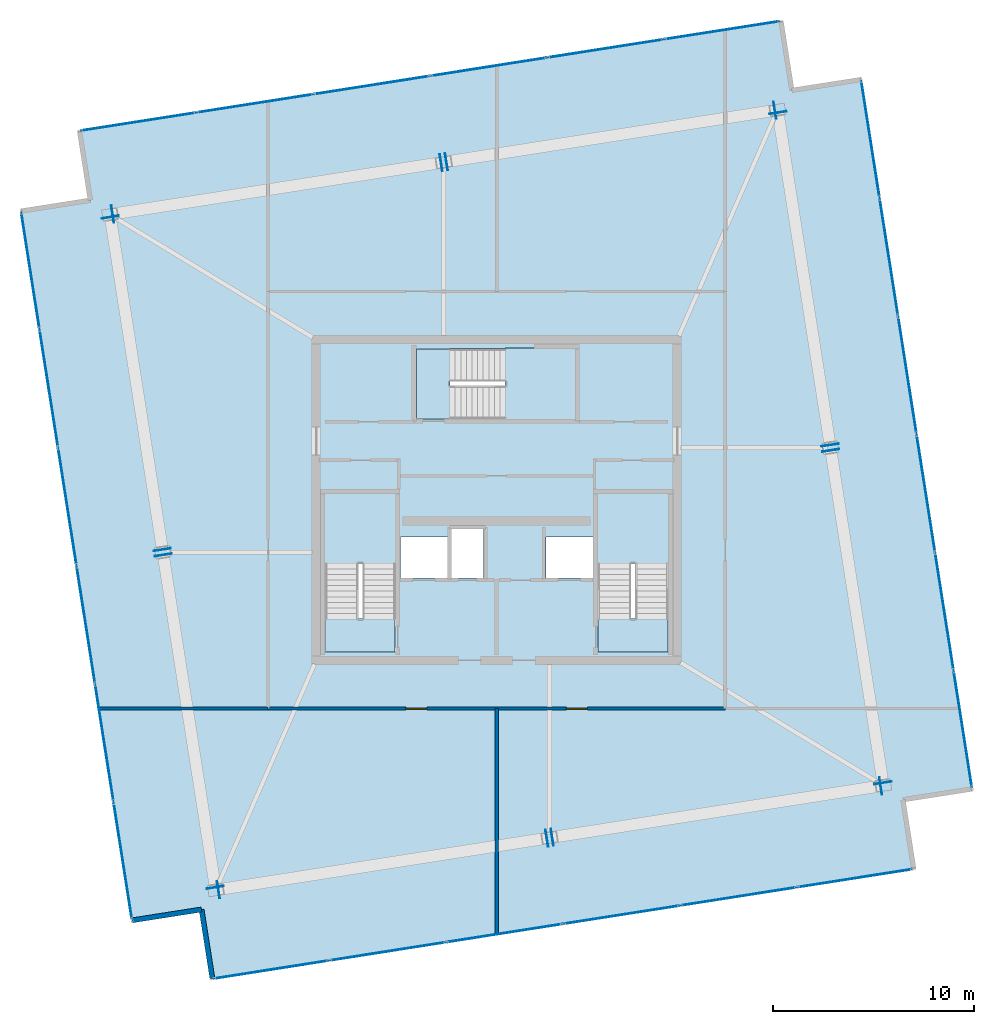
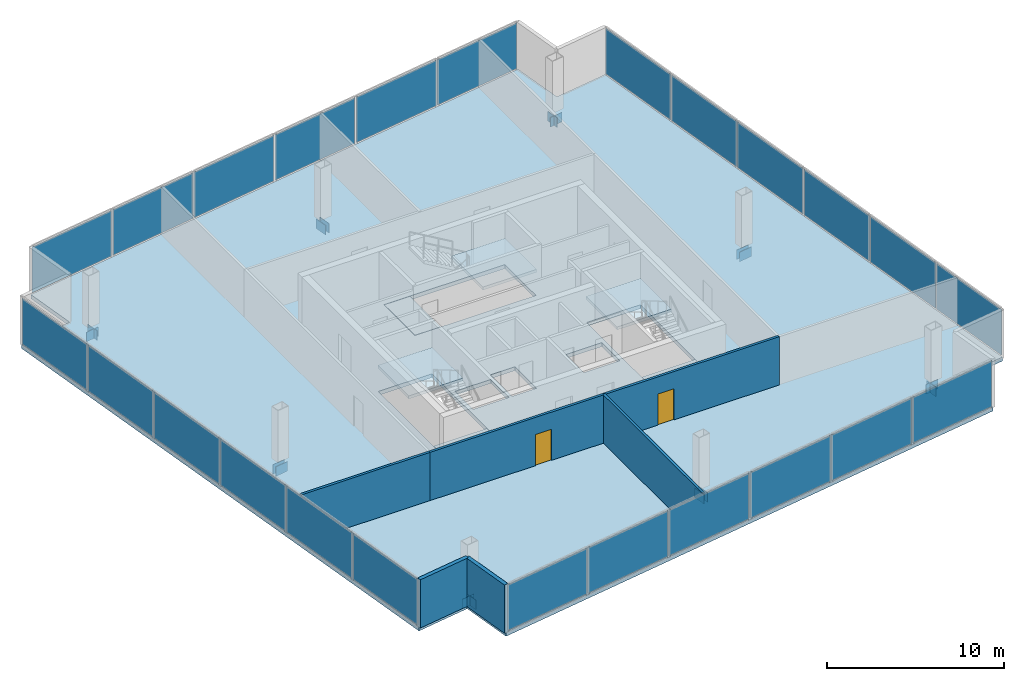
# One storey, part 14 of 17: 40 plates, 7 slabs, 5 walls, 2 doors, 2 openings, 7 elements without a shape of their own.
"""IFC4 building model written with IfcOpenShell, lengths in metres."""

from ifc_helpers import new_model, si_unit, direction, frame, frame_2d, origin, origin_2d, place, context, subcontext, project, spatial, polyline, rectangle, outline, extrude, source, transform, mapped, material, layer, layer_set, type_object, element, fill, aggregate, save


model = new_model("IFC4")

# Units and contexts
model_context = context("Model", 3, precision=1e-05, world=origin(), true_north=direction((0.0, 1.0)))
body_context = subcontext(model_context, "Body", "Model", "MODEL_VIEW")
ifc_project = project(units=[si_unit("LENGTHUNIT", "METRE"), si_unit("AREAUNIT", "SQUARE_METRE"), si_unit("VOLUMEUNIT", "CUBIC_METRE"), si_unit("PLANEANGLEUNIT", "RADIAN"), si_unit("MASSUNIT", "GRAM", prefix="KILO")], contexts=[model_context])

# Site, building, storey
site_placement = place(None, origin())
site = spatial("IfcSite", under=ifc_project, at=site_placement, CompositionType="ELEMENT")
building_placement = place(site_placement, origin())
building = spatial("IfcBuilding", under=site, at=building_placement, Name="Haldenkirk Collegiate Tower", CompositionType="ELEMENT")
storey_placement = place(building_placement, frame((0.0, 0.0, 364.199951171875)))
storey = spatial("IfcBuildingStorey", under=building, at=storey_placement, Name="L92", CompositionType="ELEMENT", Elevation=364.199951171875)

# Slab
ifc_material_1 = material(Name="Concrete f'c 40 MPa", Category="concrete")
ifc_layer_1 = layer(ifc_material_1, 0.27001953125)
ifc_layer_set_1 = layer_set([ifc_layer_1], Name="Concrete f'c 40 MPa")
slab_type_1 = type_object("IfcSlabType", Name="SLB-FLR-270", PredefinedType="FLOOR", material=ifc_layer_set_1)
slab_1_placement = place(storey_placement, frame((0.0, 0.0, -0.27001953125)))
element("IfcSlab", 1, at=slab_1_placement, inside=storey, type_object=slab_type_1, Name="L92 composite structural floor slab", PredefinedType="FLOOR", context=body_context, shape_type="SweptSolid", body=[
    extrude(outline(polyline([(59.714111328125, 11.595458984375), (54.17529296875, 46.96435546875), (50.717529296875, 46.4228515625), (50.176025390625, 49.880615234375), (15.202392578125, 44.404052734375), (15.743896484375, 40.946044921875), (12.285888671875, 40.404541015625), (17.82470703125, 5.03564453125), (21.282470703125, 5.5771484375), (21.823974609375, 2.119384765625), (56.797607421875, 7.595947265625), (56.256103515625, 11.053955078125), (59.714111328125, 11.595458984375)]), holes=[polyline([(27.449951171875, 18.39990234375), (30.949951171875, 18.39990234375), (30.949951171875, 26.300048828125), (27.449951171875, 26.300048828125), (27.449951171875, 18.39990234375)]), polyline([(41.050048828125, 18.39990234375), (44.550048828125, 18.39990234375), (44.550048828125, 26.300048828125), (41.050048828125, 26.300048828125), (41.050048828125, 18.39990234375)]), polyline([(32.0, 30.050048828125), (39.89990234375, 30.050048828125), (39.89990234375, 33.550048828125), (32.0, 33.550048828125), (32.0, 30.050048828125)]), polyline([(33.75, 22.10009765625), (35.35009765625, 22.10009765625), (35.35009765625, 24.550048828125), (33.75, 24.550048828125), (33.75, 22.10009765625)]), polyline([(31.199951171875, 22.10009765625), (33.550048828125, 22.10009765625), (33.550048828125, 24.14990234375), (31.199951171875, 24.14990234375), (31.199951171875, 22.10009765625)]), polyline([(38.449951171875, 22.10009765625), (40.800048828125, 22.10009765625), (40.800048828125, 24.14990234375), (38.449951171875, 24.14990234375), (38.449951171875, 22.10009765625)])]), origin(), (0.0, 0.0, 1.0), 0.27001953125),
])

# Stair, slab
stair_type = type_object("IfcStairType", Name="STR-DOGLEG-1650", PredefinedType="HALF_TURN_STAIR", material=ifc_material_1)
stair_1_placement = place(storey_placement, origin())
stair_1 = element("IfcStair", 2, at=stair_1_placement, inside=storey, type_object=stair_type, Name="L92 Core Exit Stair ST-1", PredefinedType="HALF_TURN_STAIR")
ifc_layer_2 = layer(ifc_material_1, 0.199951171875)
ifc_layer_set_2 = layer_set([ifc_layer_2], Name="Concrete f'c 40 MPa")
slab_type_2 = type_object("IfcSlabType", Name="SLB-LANDING-200", PredefinedType="LANDING", material=ifc_layer_set_2)
slab_2_placement = place(storey_placement, frame((0.0, 0.0, 1.60009765625)))
slab_2 = element("IfcSlab", 3, at=slab_2_placement, type_object=slab_type_2, Name="ST-1 landing 1", PredefinedType="LANDING", context=body_context, shape_type="SweptSolid", body=[
    extrude(outline(polyline([(30.97509765625, 22.824951171875), (27.425048828125, 22.824951171875), (27.425048828125, 26.324951171875), (30.97509765625, 26.324951171875), (30.97509765625, 22.824951171875)])), origin(), (0.0, 0.0, 1.0), 0.199951171875),
])
aggregate(stair_1, [slab_2])

stair_2_placement = place(storey_placement, origin())
stair_2 = element("IfcStair", 4, at=stair_2_placement, inside=storey, type_object=stair_type, Name="L92 Core Exit Stair ST-2", PredefinedType="HALF_TURN_STAIR")
slab_3_placement = place(storey_placement, frame((0.0, 0.0, 1.60009765625)))
slab_3 = element("IfcSlab", 5, at=slab_3_placement, type_object=slab_type_2, Name="ST-2 landing 1", PredefinedType="LANDING", context=body_context, shape_type="SweptSolid", body=[
    extrude(outline(polyline([(44.574951171875, 22.824951171875), (41.02490234375, 22.824951171875), (41.02490234375, 26.324951171875), (44.574951171875, 26.324951171875), (44.574951171875, 22.824951171875)])), origin(), (0.0, 0.0, 1.0), 0.199951171875),
])
aggregate(stair_2, [slab_3])

stair_3_placement = place(storey_placement, origin())
stair_3 = element("IfcStair", 6, at=stair_3_placement, inside=storey, type_object=stair_type, Name="L92 Core Exit Stair ST-3", PredefinedType="HALF_TURN_STAIR")
slab_4_placement = place(storey_placement, frame((0.0, 0.0, 1.60009765625)))
slab_4 = element("IfcSlab", 7, at=slab_4_placement, type_object=slab_type_2, Name="ST-3 landing 1", PredefinedType="LANDING", context=body_context, shape_type="SweptSolid", body=[
    extrude(outline(polyline([(36.425048828125, 30.02490234375), (36.425048828125, 33.574951171875), (39.925048828125, 33.574951171875), (39.925048828125, 30.02490234375), (36.425048828125, 30.02490234375)])), origin(), (0.0, 0.0, 1.0), 0.199951171875),
])
aggregate(stair_3, [slab_4])

# Slabs
ifc_layer_3 = layer(ifc_material_1, 0.25)
ifc_layer_set_3 = layer_set([ifc_layer_3], Name="Concrete f'c 40 MPa")
slab_type_3 = type_object("IfcSlabType", Name="SLB-STAIRLAND-250", PredefinedType="LANDING", material=ifc_layer_set_3)
slab_5_placement = place(storey_placement, frame((0.0, 0.0, -0.25)))
element("IfcSlab", 8, at=slab_5_placement, inside=storey, type_object=slab_type_3, Name="L92 stair ST1 structural floor landing slab", PredefinedType="LANDING", context=body_context, shape_type="SweptSolid", body=[
    extrude(outline(polyline([(27.4599609375, 18.409912109375), (30.93994140625, 18.409912109375), (30.93994140625, 20.080078125), (27.4599609375, 20.080078125), (27.4599609375, 18.409912109375)])), origin(), (0.0, 0.0, 1.0), 0.25),
])
slab_6_placement = place(storey_placement, frame((0.0, 0.0, -0.25)))
element("IfcSlab", 9, at=slab_6_placement, inside=storey, type_object=slab_type_3, Name="L92 stair ST2 structural floor landing slab", PredefinedType="LANDING", context=body_context, shape_type="SweptSolid", body=[
    extrude(outline(polyline([(41.06005859375, 18.409912109375), (44.5400390625, 18.409912109375), (44.5400390625, 20.080078125), (41.06005859375, 20.080078125), (41.06005859375, 18.409912109375)])), origin(), (0.0, 0.0, 1.0), 0.25),
])
slab_7_placement = place(storey_placement, frame((0.0, 0.0, -0.25)))
element("IfcSlab", 10, at=slab_7_placement, inside=storey, type_object=slab_type_3, Name="L92 stair ST3 structural floor landing slab", PredefinedType="LANDING", context=body_context, shape_type="SweptSolid", body=[
    extrude(outline(polyline([(32.010009765625, 30.06005859375), (33.679931640625, 30.06005859375), (33.679931640625, 33.5400390625), (32.010009765625, 33.5400390625), (32.010009765625, 30.06005859375)])), origin(), (0.0, 0.0, 1.0), 0.25),
])

# Plates
ifc_material_2 = material(Name="Steel ASTM A572 Grade 50", Category="steel")
ifc_layer_4 = layer(ifc_material_2, 0.034912109375)
ifc_layer_set_4 = layer_set([ifc_layer_4], Name="Steel ASTM A572 Grade 50")
plate_type_1 = type_object("IfcPlateType", Name="PLT-CAP-EXT-760X600", PredefinedType="USERDEFINED", material=ifc_layer_set_4)
shared_shape_1 = source(origin(), body_context, "Body", "SweptSolid", [
    extrude(rectangle(XDim=0.860107421875, YDim=0.659912109375, at=origin_2d()), origin(), (0.0, 0.0, 1.0), 0.034912109375),
])
for number, where, z_axis, x_axis, name in (
    (11, (55.26123046875, 11.913330078125, -0.669921875), (0.154710964794, -0.987959775179, 0.0), (0.987959775179, 0.154710964794, 0.0), "L92 Crown Ring Frame perimeter girder 1 end cap plate 1"),
    (12, (52.6708984375, 28.45556640625, -0.669921875), (-0.154710964794, 0.987959775179, 0.0), (-0.987959775179, -0.154710964794, 0.0), "L92 Crown Ring Frame perimeter girder 1 end cap plate 2"),
    (13, (52.62353515625, 28.758056640625, -0.669921875), (0.154710964794, -0.987959775179, 0.0), (0.987959775179, 0.154710964794, 0.0), "L92 Crown Ring Frame perimeter girder 2 end cap plate 1"),
    (14, (50.032958984375, 45.30029296875, -0.669921875), (-0.154710964794, 0.987959775179, 0.0), (-0.987959775179, -0.154710964794, 0.0), "L92 Crown Ring Frame perimeter girder 2 end cap plate 2"),
    (15, (49.858154296875, 45.427978515625, -0.669921875), (0.987959445545, 0.154713069772, 0.0), (-0.154713069772, 0.987959445545, 0.0), "L92 Crown Ring Frame perimeter girder 3 end cap plate 1"),
    (16, (33.513427734375, 42.868408203125, -0.669921875), (-0.987959445545, -0.154713069772, 0.0), (0.154713069772, -0.987959445545, 0.0), "L92 Crown Ring Frame perimeter girder 3 end cap plate 2"),
    (17, (33.2109375, 42.821044921875, -0.669921875), (0.987959445545, 0.154713069772, 0.0), (-0.154713069772, 0.987959445545, 0.0), "L92 Crown Ring Frame perimeter girder 4 end cap plate 1"),
    (18, (16.866455078125, 40.261474609375, -0.669921875), (-0.987959445545, -0.154713069772, 0.0), (0.154713069772, -0.987959445545, 0.0), "L92 Crown Ring Frame perimeter girder 4 end cap plate 2"),
    (19, (16.73876953125, 40.086669921875, -0.669921875), (-0.154710964794, 0.987959775179, 0.0), (-0.987959775179, -0.154710964794, 0.0), "L92 Crown Ring Frame perimeter girder 5 end cap plate 1"),
    (20, (19.3291015625, 23.54443359375, -0.669921875), (0.154710964794, -0.987959775179, 0.0), (0.987959775179, 0.154710964794, 0.0), "L92 Crown Ring Frame perimeter girder 5 end cap plate 2"),
    (21, (19.37646484375, 23.241943359375, -0.669921875), (-0.154710964794, 0.987959775179, 0.0), (-0.987959775179, -0.154710964794, 0.0), "L92 Crown Ring Frame perimeter girder 6 end cap plate 1"),
    (22, (21.967041015625, 6.69970703125, -0.669921875), (0.154710964794, -0.987959775179, 0.0), (0.987959775179, 0.154710964794, 0.0), "L92 Crown Ring Frame perimeter girder 6 end cap plate 2"),
    (23, (22.141845703125, 6.572021484375, -0.669921875), (-0.987959445545, -0.154713069772, 0.0), (0.154713069772, -0.987959445545, 0.0), "L92 Crown Ring Frame perimeter girder 7 end cap plate 1"),
    (24, (38.486572265625, 9.131591796875, -0.669921875), (0.987959445545, 0.154713069772, 0.0), (-0.154713069772, 0.987959445545, 0.0), "L92 Crown Ring Frame perimeter girder 7 end cap plate 2"),
    (25, (38.7890625, 9.178955078125, -0.669921875), (-0.987959445545, -0.154713069772, 0.0), (0.154713069772, -0.987959445545, 0.0), "L92 Crown Ring Frame perimeter girder 8 end cap plate 1"),
    (26, (55.133544921875, 11.738525390625, -0.669921875), (0.987959445545, 0.154713069772, 0.0), (-0.154713069772, 0.987959445545, 0.0), "L92 Crown Ring Frame perimeter girder 8 end cap plate 2"),
):
    element("IfcPlate", number, at=place(storey_placement, frame(where, z_axis=z_axis, x_axis=x_axis)), inside=storey, type_object=plate_type_1, Name=name, ObjectType="END CAP PLATE", PredefinedType="USERDEFINED", context=body_context, shape_type="MappedRepresentation", body=[
        mapped(shared_shape_1, transform((0.0, 0.0, 0.0), x_axis=(1.0, 0.0, 0.0), y_axis=(0.0, 1.0, 0.0), z_axis=(0.0, 0.0, 1.0), scale=1.0)),
    ])

# Curtain wall, plates
ifc_material_3 = material(Name="Anodised architectural bronze aluminium", Category="aluminium")
curtain_wall_type = type_object("IfcCurtainWallType", Name="CW-SYS6-CROWN", PredefinedType="USERDEFINED", material=ifc_material_3)
curtain_wall_1_placement = place(storey_placement, origin())
curtain_wall_1 = element("IfcCurtainWall", 27, at=curtain_wall_1_placement, inside=storey, type_object=curtain_wall_type, Name="L92 Closed crown ring ceramic-fritted bronze screen curtain wall", ObjectType="UNITISED CURTAIN WALL", PredefinedType="USERDEFINED")
ifc_material_4 = material(Name="Ceramic-fritted bronze triple glass", Category="glass")
ifc_layer_5 = layer(ifc_material_4, 0.0400390625)
ifc_layer_set_5 = layer_set([ifc_layer_5], Name="Ceramic-fritted bronze triple glass")
plate_type_2 = type_object("IfcPlateType", Name="CW-PNL-06", PredefinedType="CURTAIN_PANEL", material=ifc_layer_set_5)
shared_shape_2 = source(origin(), body_context, "Body", "SweptSolid", [
    extrude(rectangle(XDim=5.83154296875, YDim=0.0400390625, at=origin_2d()), origin(), (0.0, 0.0, 1.0), 3.14990234375),
])
plate_1_placement = place(storey_placement, frame((54.640380859375, 43.99462890625, 0.090087890625), z_axis=(0.0, 0.0, 1.0), x_axis=(0.154712514742, -0.987959532462, 0.0)))
plate_1 = element("IfcPlate", 28, at=plate_1_placement, type_object=plate_type_2, Name="CW-06 panel 1.1", PredefinedType="CURTAIN_PANEL", context=body_context, shape_type="MappedRepresentation", body=[
    mapped(shared_shape_2, transform((0.0, 0.0, 0.0), x_axis=(1.0, 0.0, 0.0), y_axis=(0.0, 1.0, 0.0), z_axis=(0.0, 0.0, 1.0), scale=1.0)),
])
plate_2_placement = place(storey_placement, frame((59.2490234375, 14.56494140625, 0.090087890625), z_axis=(0.0, 0.0, 1.0), x_axis=(0.154712514742, -0.987959532462, 0.0)))
plate_2 = element("IfcPlate", 29, at=plate_2_placement, type_object=plate_type_2, Name="CW-06 panel 6.1", PredefinedType="CURTAIN_PANEL", context=body_context, shape_type="MappedRepresentation", body=[
    mapped(shared_shape_2, transform((0.0, 0.0, 0.0), x_axis=(1.0, 0.0, 0.0), y_axis=(0.0, 1.0, 0.0), z_axis=(0.0, 0.0, 1.0), scale=1.0)),
])

curtain_wall_2_placement = place(storey_placement, origin())
curtain_wall_2 = element("IfcCurtainWall", 30, at=curtain_wall_2_placement, inside=storey, type_object=curtain_wall_type, Name="L92 Closed crown ring ceramic-fritted bronze screen curtain wall", ObjectType="UNITISED CURTAIN WALL", PredefinedType="USERDEFINED")
plate_3_placement = place(storey_placement, frame((17.359619140625, 8.00537109375, 0.090087890625), z_axis=(0.0, 0.0, 1.0), x_axis=(-0.154712514742, 0.987959532462, 0.0)))
plate_3 = element("IfcPlate", 31, at=plate_3_placement, type_object=plate_type_2, Name="CW-06 panel 1.1", PredefinedType="CURTAIN_PANEL", context=body_context, shape_type="MappedRepresentation", body=[
    mapped(shared_shape_2, transform((0.0, 0.0, 0.0), x_axis=(1.0, 0.0, 0.0), y_axis=(0.0, 1.0, 0.0), z_axis=(0.0, 0.0, 1.0), scale=1.0)),
])
plate_4_placement = place(storey_placement, frame((12.7509765625, 37.43505859375, 0.090087890625), z_axis=(0.0, 0.0, 1.0), x_axis=(-0.154712514742, 0.987959532462, 0.0)))
plate_4 = element("IfcPlate", 32, at=plate_4_placement, type_object=plate_type_2, Name="CW-06 panel 6.1", PredefinedType="CURTAIN_PANEL", context=body_context, shape_type="MappedRepresentation", body=[
    mapped(shared_shape_2, transform((0.0, 0.0, 0.0), x_axis=(1.0, 0.0, 0.0), y_axis=(0.0, 1.0, 0.0), z_axis=(0.0, 0.0, 1.0), scale=1.0)),
])

# Plate
shared_shape_3 = source(origin(), body_context, "Body", "SweptSolid", [
    extrude(rectangle(XDim=5.876708984375, YDim=0.0400390625, at=origin_2d()), origin(), (0.0, 0.0, 1.0), 3.14990234375),
])
plate_5_placement = place(storey_placement, frame((55.56005859375, 38.1220703125, 0.090087890625), z_axis=(0.0, 0.0, 1.0), x_axis=(0.154712514742, -0.987959532462, 0.0)))
plate_5 = element("IfcPlate", 33, at=plate_5_placement, type_object=plate_type_2, Name="CW-06 panel 2.1", PredefinedType="CURTAIN_PANEL", context=body_context, shape_type="MappedRepresentation", body=[
    mapped(shared_shape_3, transform((0.0, 0.0, 0.0), x_axis=(1.0, 0.0, 0.0), y_axis=(0.0, 1.0, 0.0), z_axis=(0.0, 0.0, 1.0), scale=1.0)),
])

plate_6_placement = place(storey_placement, frame((56.483154296875, 32.227294921875, 0.090087890625), z_axis=(0.0, 0.0, 1.0), x_axis=(0.154712514742, -0.987959532462, 0.0)))
plate_6 = element("IfcPlate", 34, at=plate_6_placement, type_object=plate_type_2, Name="CW-06 panel 3.1", PredefinedType="CURTAIN_PANEL", context=body_context, shape_type="MappedRepresentation", body=[
    mapped(shared_shape_3, transform((0.0, 0.0, 0.0), x_axis=(1.0, 0.0, 0.0), y_axis=(0.0, 1.0, 0.0), z_axis=(0.0, 0.0, 1.0), scale=1.0)),
])

plate_7_placement = place(storey_placement, frame((57.40625, 26.33251953125, 0.090087890625), z_axis=(0.0, 0.0, 1.0), x_axis=(0.154712514742, -0.987959532462, 0.0)))
plate_7 = element("IfcPlate", 35, at=plate_7_placement, type_object=plate_type_2, Name="CW-06 panel 4.1", PredefinedType="CURTAIN_PANEL", context=body_context, shape_type="MappedRepresentation", body=[
    mapped(shared_shape_3, transform((0.0, 0.0, 0.0), x_axis=(1.0, 0.0, 0.0), y_axis=(0.0, 1.0, 0.0), z_axis=(0.0, 0.0, 1.0), scale=1.0)),
])

plate_8_placement = place(storey_placement, frame((58.329345703125, 20.437744140625, 0.090087890625), z_axis=(0.0, 0.0, 1.0), x_axis=(0.154712514742, -0.987959532462, 0.0)))
plate_8 = element("IfcPlate", 36, at=plate_8_placement, type_object=plate_type_2, Name="CW-06 panel 5.1", PredefinedType="CURTAIN_PANEL", context=body_context, shape_type="MappedRepresentation", body=[
    mapped(shared_shape_3, transform((0.0, 0.0, 0.0), x_axis=(1.0, 0.0, 0.0), y_axis=(0.0, 1.0, 0.0), z_axis=(0.0, 0.0, 1.0), scale=1.0)),
])

aggregate(curtain_wall_1, [plate_1, plate_5, plate_6, plate_7, plate_8, plate_2])

plate_9_placement = place(storey_placement, frame((16.43994140625, 13.8779296875, 0.090087890625), z_axis=(0.0, 0.0, 1.0), x_axis=(-0.154712514742, 0.987959532462, 0.0)))
plate_9 = element("IfcPlate", 37, at=plate_9_placement, type_object=plate_type_2, Name="CW-06 panel 2.1", PredefinedType="CURTAIN_PANEL", context=body_context, shape_type="MappedRepresentation", body=[
    mapped(shared_shape_3, transform((0.0, 0.0, 0.0), x_axis=(1.0, 0.0, 0.0), y_axis=(0.0, 1.0, 0.0), z_axis=(0.0, 0.0, 1.0), scale=1.0)),
])

plate_10_placement = place(storey_placement, frame((15.516845703125, 19.772705078125, 0.090087890625), z_axis=(0.0, 0.0, 1.0), x_axis=(-0.154712514742, 0.987959532462, 0.0)))
plate_10 = element("IfcPlate", 38, at=plate_10_placement, type_object=plate_type_2, Name="CW-06 panel 3.1", PredefinedType="CURTAIN_PANEL", context=body_context, shape_type="MappedRepresentation", body=[
    mapped(shared_shape_3, transform((0.0, 0.0, 0.0), x_axis=(1.0, 0.0, 0.0), y_axis=(0.0, 1.0, 0.0), z_axis=(0.0, 0.0, 1.0), scale=1.0)),
])

plate_11_placement = place(storey_placement, frame((14.59375, 25.66748046875, 0.090087890625), z_axis=(0.0, 0.0, 1.0), x_axis=(-0.154712514742, 0.987959532462, 0.0)))
plate_11 = element("IfcPlate", 39, at=plate_11_placement, type_object=plate_type_2, Name="CW-06 panel 4.1", PredefinedType="CURTAIN_PANEL", context=body_context, shape_type="MappedRepresentation", body=[
    mapped(shared_shape_3, transform((0.0, 0.0, 0.0), x_axis=(1.0, 0.0, 0.0), y_axis=(0.0, 1.0, 0.0), z_axis=(0.0, 0.0, 1.0), scale=1.0)),
])

plate_12_placement = place(storey_placement, frame((13.670654296875, 31.562255859375, 0.090087890625), z_axis=(0.0, 0.0, 1.0), x_axis=(-0.154712514742, 0.987959532462, 0.0)))
plate_12 = element("IfcPlate", 40, at=plate_12_placement, type_object=plate_type_2, Name="CW-06 panel 5.1", PredefinedType="CURTAIN_PANEL", context=body_context, shape_type="MappedRepresentation", body=[
    mapped(shared_shape_3, transform((0.0, 0.0, 0.0), x_axis=(1.0, 0.0, 0.0), y_axis=(0.0, 1.0, 0.0), z_axis=(0.0, 0.0, 1.0), scale=1.0)),
])

aggregate(curtain_wall_2, [plate_3, plate_9, plate_10, plate_11, plate_12, plate_4])

# Curtain wall, plates
curtain_wall_3_placement = place(storey_placement, origin())
curtain_wall_3 = element("IfcCurtainWall", 41, at=curtain_wall_3_placement, inside=storey, type_object=curtain_wall_type, Name="L92 Closed crown ring ceramic-fritted bronze screen curtain wall", ObjectType="UNITISED CURTAIN WALL", PredefinedType="USERDEFINED")
shared_shape_4 = source(origin(), body_context, "Body", "SweptSolid", [
    extrude(rectangle(XDim=5.764892578125, YDim=0.0400390625, at=origin_2d()), origin(), (0.0, 0.0, 1.0), 3.14990234375),
])
plate_13_placement = place(storey_placement, frame((18.138916015625, 44.86376953125, 0.090087890625), z_axis=(0.0, 0.0, 1.0), x_axis=(0.987960085646, 0.154708982189, 0.0)))
plate_13 = element("IfcPlate", 42, at=plate_13_placement, type_object=plate_type_2, Name="CW-06 panel 1.1", PredefinedType="CURTAIN_PANEL", context=body_context, shape_type="MappedRepresentation", body=[
    mapped(shared_shape_4, transform((0.0, 0.0, 0.0), x_axis=(1.0, 0.0, 0.0), y_axis=(0.0, 1.0, 0.0), z_axis=(0.0, 0.0, 1.0), scale=1.0)),
])
plate_14_placement = place(storey_placement, frame((47.239501953125, 49.4208984375, 0.090087890625), z_axis=(0.0, 0.0, 1.0), x_axis=(0.987960085646, 0.154708982189, 0.0)))
plate_14 = element("IfcPlate", 43, at=plate_14_placement, type_object=plate_type_2, Name="CW-06 panel 6.1", PredefinedType="CURTAIN_PANEL", context=body_context, shape_type="MappedRepresentation", body=[
    mapped(shared_shape_4, transform((0.0, 0.0, 0.0), x_axis=(1.0, 0.0, 0.0), y_axis=(0.0, 1.0, 0.0), z_axis=(0.0, 0.0, 1.0), scale=1.0)),
])

curtain_wall_4_placement = place(storey_placement, origin())
curtain_wall_4 = element("IfcCurtainWall", 44, at=curtain_wall_4_placement, inside=storey, type_object=curtain_wall_type, Name="L92 Closed crown ring ceramic-fritted bronze screen curtain wall", ObjectType="UNITISED CURTAIN WALL", PredefinedType="USERDEFINED")
plate_15_placement = place(storey_placement, frame((53.861083984375, 7.13623046875, 0.090087890625), z_axis=(0.0, 0.0, 1.0), x_axis=(-0.987960085646, -0.154708982189, 0.0)))
plate_15 = element("IfcPlate", 45, at=plate_15_placement, type_object=plate_type_2, Name="CW-06 panel 1.1", PredefinedType="CURTAIN_PANEL", context=body_context, shape_type="MappedRepresentation", body=[
    mapped(shared_shape_4, transform((0.0, 0.0, 0.0), x_axis=(1.0, 0.0, 0.0), y_axis=(0.0, 1.0, 0.0), z_axis=(0.0, 0.0, 1.0), scale=1.0)),
])
plate_16_placement = place(storey_placement, frame((24.760498046875, 2.5791015625, 0.090087890625), z_axis=(0.0, 0.0, 1.0), x_axis=(-0.987960085646, -0.154708982189, 0.0)))
plate_16 = element("IfcPlate", 46, at=plate_16_placement, type_object=plate_type_2, Name="CW-06 panel 6.1", PredefinedType="CURTAIN_PANEL", context=body_context, shape_type="MappedRepresentation", body=[
    mapped(shared_shape_4, transform((0.0, 0.0, 0.0), x_axis=(1.0, 0.0, 0.0), y_axis=(0.0, 1.0, 0.0), z_axis=(0.0, 0.0, 1.0), scale=1.0)),
])

# Plate
shared_shape_5 = source(origin(), body_context, "Body", "SweptSolid", [
    extrude(rectangle(XDim=5.81005859375, YDim=0.0400390625, at=origin_2d()), origin(), (0.0, 0.0, 1.0), 3.14990234375),
])
plate_17_placement = place(storey_placement, frame((23.94580078125, 45.773193359375, 0.090087890625), z_axis=(0.0, 0.0, 1.0), x_axis=(0.987960085646, 0.154708982189, 0.0)))
plate_17 = element("IfcPlate", 47, at=plate_17_placement, type_object=plate_type_2, Name="CW-06 panel 2.1", PredefinedType="CURTAIN_PANEL", context=body_context, shape_type="MappedRepresentation", body=[
    mapped(shared_shape_5, transform((0.0, 0.0, 0.0), x_axis=(1.0, 0.0, 0.0), y_axis=(0.0, 1.0, 0.0), z_axis=(0.0, 0.0, 1.0), scale=1.0)),
])

plate_18_placement = place(storey_placement, frame((29.774658203125, 46.68603515625, 0.090087890625), z_axis=(0.0, 0.0, 1.0), x_axis=(0.987960085646, 0.154708982189, 0.0)))
plate_18 = element("IfcPlate", 48, at=plate_18_placement, type_object=plate_type_2, Name="CW-06 panel 3.1", PredefinedType="CURTAIN_PANEL", context=body_context, shape_type="MappedRepresentation", body=[
    mapped(shared_shape_5, transform((0.0, 0.0, 0.0), x_axis=(1.0, 0.0, 0.0), y_axis=(0.0, 1.0, 0.0), z_axis=(0.0, 0.0, 1.0), scale=1.0)),
])

plate_19_placement = place(storey_placement, frame((35.603759765625, 47.5986328125, 0.090087890625), z_axis=(0.0, 0.0, 1.0), x_axis=(0.987960085646, 0.154708982189, 0.0)))
plate_19 = element("IfcPlate", 49, at=plate_19_placement, type_object=plate_type_2, Name="CW-06 panel 4.1", PredefinedType="CURTAIN_PANEL", context=body_context, shape_type="MappedRepresentation", body=[
    mapped(shared_shape_5, transform((0.0, 0.0, 0.0), x_axis=(1.0, 0.0, 0.0), y_axis=(0.0, 1.0, 0.0), z_axis=(0.0, 0.0, 1.0), scale=1.0)),
])

plate_20_placement = place(storey_placement, frame((41.4326171875, 48.511474609375, 0.090087890625), z_axis=(0.0, 0.0, 1.0), x_axis=(0.987960085646, 0.154708982189, 0.0)))
plate_20 = element("IfcPlate", 50, at=plate_20_placement, type_object=plate_type_2, Name="CW-06 panel 5.1", PredefinedType="CURTAIN_PANEL", context=body_context, shape_type="MappedRepresentation", body=[
    mapped(shared_shape_5, transform((0.0, 0.0, 0.0), x_axis=(1.0, 0.0, 0.0), y_axis=(0.0, 1.0, 0.0), z_axis=(0.0, 0.0, 1.0), scale=1.0)),
])

aggregate(curtain_wall_3, [plate_13, plate_17, plate_18, plate_19, plate_20, plate_14])

plate_21_placement = place(storey_placement, frame((48.05419921875, 6.226806640625, 0.090087890625), z_axis=(0.0, 0.0, 1.0), x_axis=(-0.987960085646, -0.154708982189, 0.0)))
plate_21 = element("IfcPlate", 51, at=plate_21_placement, type_object=plate_type_2, Name="CW-06 panel 2.1", PredefinedType="CURTAIN_PANEL", context=body_context, shape_type="MappedRepresentation", body=[
    mapped(shared_shape_5, transform((0.0, 0.0, 0.0), x_axis=(1.0, 0.0, 0.0), y_axis=(0.0, 1.0, 0.0), z_axis=(0.0, 0.0, 1.0), scale=1.0)),
])

plate_22_placement = place(storey_placement, frame((42.225341796875, 5.31396484375, 0.090087890625), z_axis=(0.0, 0.0, 1.0), x_axis=(-0.987960085646, -0.154708982189, 0.0)))
plate_22 = element("IfcPlate", 52, at=plate_22_placement, type_object=plate_type_2, Name="CW-06 panel 3.1", PredefinedType="CURTAIN_PANEL", context=body_context, shape_type="MappedRepresentation", body=[
    mapped(shared_shape_5, transform((0.0, 0.0, 0.0), x_axis=(1.0, 0.0, 0.0), y_axis=(0.0, 1.0, 0.0), z_axis=(0.0, 0.0, 1.0), scale=1.0)),
])

plate_23_placement = place(storey_placement, frame((36.396240234375, 4.4013671875, 0.090087890625), z_axis=(0.0, 0.0, 1.0), x_axis=(-0.987960085646, -0.154708982189, 0.0)))
plate_23 = element("IfcPlate", 53, at=plate_23_placement, type_object=plate_type_2, Name="CW-06 panel 4.1", PredefinedType="CURTAIN_PANEL", context=body_context, shape_type="MappedRepresentation", body=[
    mapped(shared_shape_5, transform((0.0, 0.0, 0.0), x_axis=(1.0, 0.0, 0.0), y_axis=(0.0, 1.0, 0.0), z_axis=(0.0, 0.0, 1.0), scale=1.0)),
])

plate_24_placement = place(storey_placement, frame((30.5673828125, 3.488525390625, 0.090087890625), z_axis=(0.0, 0.0, 1.0), x_axis=(-0.987960085646, -0.154708982189, 0.0)))
plate_24 = element("IfcPlate", 54, at=plate_24_placement, type_object=plate_type_2, Name="CW-06 panel 5.1", PredefinedType="CURTAIN_PANEL", context=body_context, shape_type="MappedRepresentation", body=[
    mapped(shared_shape_5, transform((0.0, 0.0, 0.0), x_axis=(1.0, 0.0, 0.0), y_axis=(0.0, 1.0, 0.0), z_axis=(0.0, 0.0, 1.0), scale=1.0)),
])

aggregate(curtain_wall_4, [plate_15, plate_21, plate_22, plate_23, plate_24, plate_16])

# Walls
ifc_material_5 = material(Name="Precast concrete f'c 40 MPa", Category="concrete")
ifc_layer_6 = layer(ifc_material_5, 0.25)
ifc_layer_set_6 = layer_set([ifc_layer_6], Name="Precast concrete f'c 40 MPa")
wall_type_1 = type_object("IfcWallType", Name="WL-EXT-CRN-250", PredefinedType="STANDARD", material=ifc_layer_set_6)
for number, where, z_axis, x_axis, name in (
    (55, (21.282470703125, 5.5771484375, 0.0), (0.0, 0.0, 1.0), (-0.987958443543, -0.154719468176, 0.0), "L92 crown bronze precast enclosure wall 08"),
    (56, (21.823974609375, 2.119384765625, 0.0), (0.0, 0.0, 1.0), (-0.154719468176, 0.987958443543, 0.0), "L92 crown bronze precast enclosure wall 09"),
):
    element("IfcWall", number, at=place(storey_placement, frame(where, z_axis=z_axis, x_axis=x_axis)), inside=storey, type_object=wall_type_1, Name=name, PredefinedType="STANDARD", context=body_context, shape_type="SweptSolid", body=[
        extrude(rectangle(XDim=3.5, YDim=0.25, at=frame_2d((1.75, 0.0))), origin(), (0.0, 0.0, 1.0), 3.330078125),
    ])

# Wall, openings, doors
ifc_material_6 = material(Name="Acoustic fire-rated gypsum partition", Category="concrete")
ifc_layer_7 = layer(ifc_material_6, 0.159912109375)
ifc_layer_set_7 = layer_set([ifc_layer_7], Name="Acoustic fire-rated gypsum partition")
wall_type_2 = type_object("IfcWallType", Name="WL-INT-CORR-160", PredefinedType="PARTITIONING", material=ifc_layer_set_7)
wall_1_placement = place(storey_placement, frame((24.60009765625, 15.60009765625, 0.0), z_axis=(0.0, 0.0, 1.0), x_axis=(1.0, 0.0, 0.0)))
wall_1 = element("IfcWall", 57, at=wall_1_placement, inside=storey, type_object=wall_type_2, Name="L92 interior partition IW-L92-CS", PredefinedType="PARTITIONING", context=body_context, shape_type="SweptSolid", body=[
    extrude(rectangle(XDim=22.7998046875, YDim=0.159912109375, at=frame_2d((11.39990234375, 0.0))), origin(), (0.0, 0.0, 1.0), 3.330078125),
])
opening_1_placement = place(wall_1_placement, frame((6.875, 0.0, 0.0)))
opening_1 = element("IfcOpeningElement", 58, at=opening_1_placement, cuts=wall_1, Name="Opening D-09", PredefinedType="OPENING", context=body_context, shape_type="SweptSolid", body=[
    extrude(rectangle(XDim=1.050048828125, YDim=2.14990234375, at=frame_2d((0.52490234375, 1.074951171875))), frame((0.0, 0.08984375, 0.0), z_axis=(0.0, -1.0, 0.0), x_axis=(1.0, 0.0, 0.0)), (0.0, 0.0, 1.0), 0.179931640625),
])
opening_2_placement = place(wall_1_placement, frame((14.875, 0.0, 0.0)))
opening_2 = element("IfcOpeningElement", 59, at=opening_2_placement, cuts=wall_1, Name="Opening D-09", PredefinedType="OPENING", context=body_context, shape_type="SweptSolid", body=[
    extrude(rectangle(XDim=1.050048828125, YDim=2.14990234375, at=frame_2d((0.52490234375, 1.074951171875))), frame((0.0, 0.08984375, 0.0), z_axis=(0.0, -1.0, 0.0), x_axis=(1.0, 0.0, 0.0)), (0.0, 0.0, 1.0), 0.179931640625),
])
ifc_material_7 = material(Name="Solid-core architectural oak fire door", Category="wood")
ifc_layer_8 = layer(ifc_material_7, 0.06005859375)
ifc_layer_set_8 = layer_set([ifc_layer_8], Name="Solid-core architectural oak fire door")
door_type = type_object("IfcDoorType", Name="DR-INT-FD60-1050", OperationType="NOTDEFINED", PredefinedType="DOOR", material=ifc_layer_set_8)
door_1_placement = place(opening_1_placement, origin())
door_1 = element("IfcDoor", 60, at=door_1_placement, inside=storey, type_object=door_type, Name="L92 crown SW plant door", OperationType="SINGLE_SWING_RIGHT", OverallHeight=2.14990234375, OverallWidth=1.050048828125, PredefinedType="DOOR", context=body_context, shape_type="SweptSolid", body=[
    extrude(rectangle(XDim=1.050048828125, YDim=2.14990234375, at=frame_2d((0.52490234375, 1.074951171875))), frame((0.0, 0.02490234375, 0.0), z_axis=(0.0, -1.0, 0.0), x_axis=(1.0, 0.0, 0.0)), (0.0, 0.0, 1.0), 0.050048828125),
])
fill(opening_1, door_1)
door_2_placement = place(opening_2_placement, origin())
door_2 = element("IfcDoor", 61, at=door_2_placement, inside=storey, type_object=door_type, Name="L92 crown SE plant door", OperationType="SINGLE_SWING_LEFT", OverallHeight=2.14990234375, OverallWidth=1.050048828125, PredefinedType="DOOR", context=body_context, shape_type="SweptSolid", body=[
    extrude(rectangle(XDim=1.050048828125, YDim=2.14990234375, at=frame_2d((0.52490234375, 1.074951171875))), frame((0.0, 0.02490234375, 0.0), z_axis=(0.0, -1.0, 0.0), x_axis=(1.0, 0.0, 0.0)), (0.0, 0.0, 1.0), 0.050048828125),
])
fill(opening_2, door_2)

# Walls
wall_2_placement = place(storey_placement, frame((36.0, 4.379638671875, 0.0), z_axis=(0.0, 0.0, 1.0), x_axis=(0.0, 1.0, 0.0)))
element("IfcWall", 62, at=wall_2_placement, inside=storey, type_object=wall_type_2, Name="L92 interior partition IW-L92-D1", PredefinedType="PARTITIONING", context=body_context, shape_type="SweptSolid", body=[
    extrude(rectangle(XDim=11.220458984375, YDim=0.159912109375, at=frame_2d((5.6103515625, 0.0))), origin(), (0.0, 0.0, 1.0), 3.330078125),
])
wall_3_placement = place(storey_placement, frame((16.210693359375, 15.60009765625, 0.0), z_axis=(0.0, 0.0, 1.0), x_axis=(1.0, 0.0, 0.0)))
element("IfcWall", 63, at=wall_3_placement, inside=storey, type_object=wall_type_2, Name="L92 interior partition IW-L92-D3", PredefinedType="PARTITIONING", context=body_context, shape_type="SweptSolid", body=[
    extrude(rectangle(XDim=8.389404296875, YDim=0.159912109375, at=frame_2d((4.19482421875, 0.0))), origin(), (0.0, 0.0, 1.0), 3.330078125),
])

save(model, "model.ifc")
